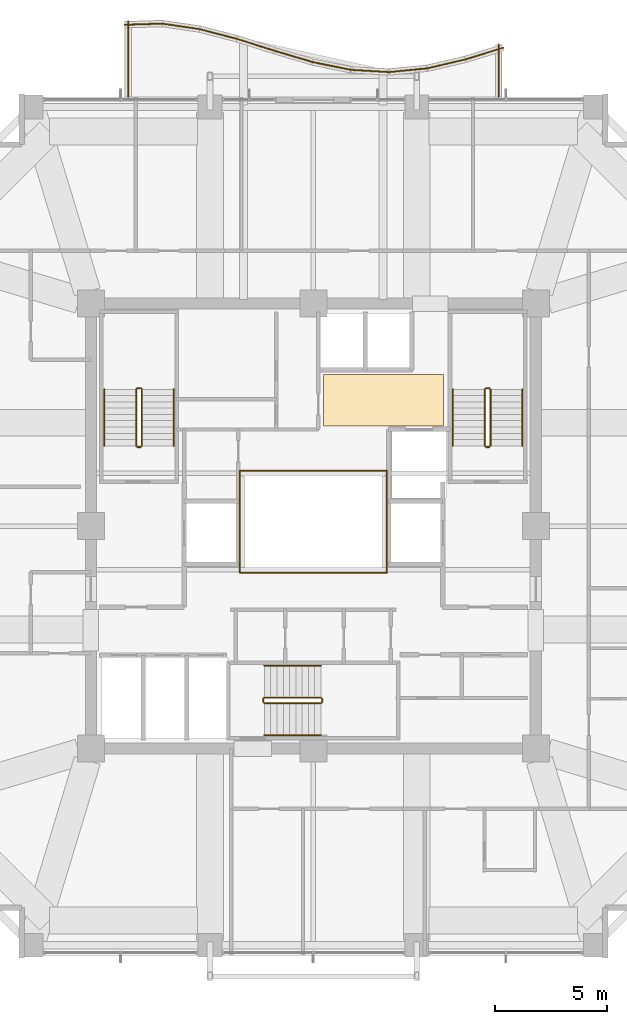
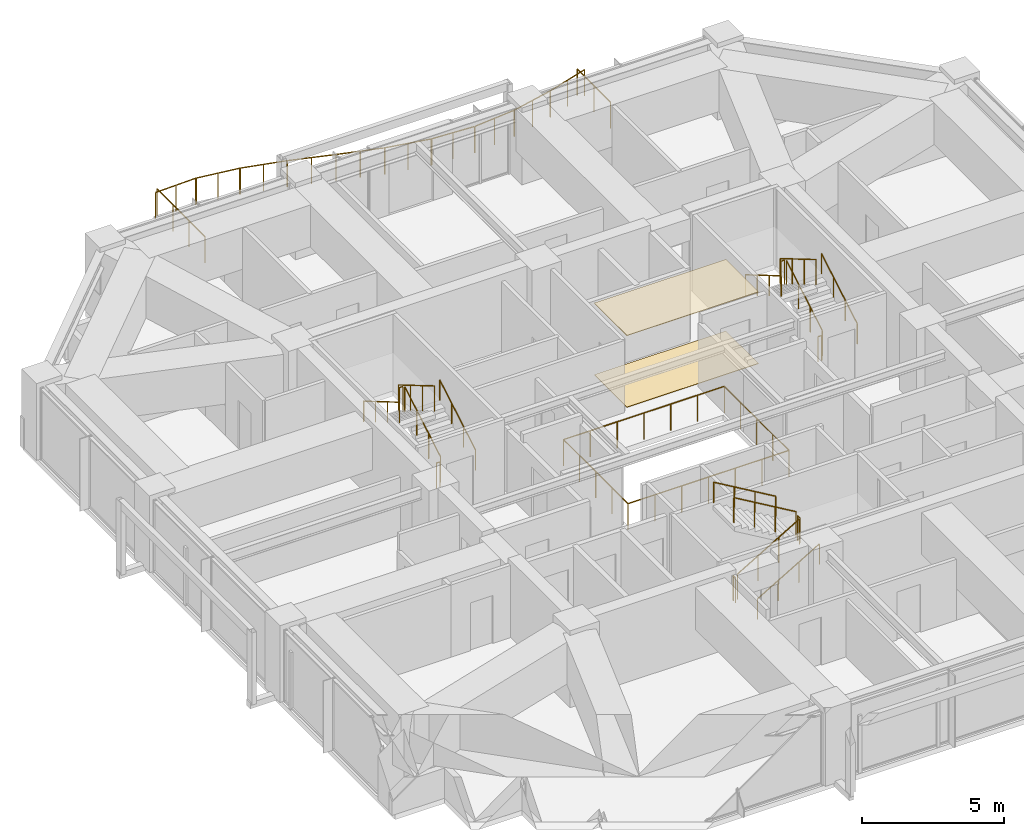
# One storey, part 28 of 28: 34 railings, 2 coverings.
"""IFC4 building model written with IfcOpenShell, lengths in metres."""

from ifc_helpers import new_model, si_unit, direction, frame, origin, origin_2d, place, context, subcontext, project, spatial, polyline, circle, outline, extrude, material, layer, layer_set, type_object, element, save


model = new_model("IFC4")

# Units and contexts
model_context = context("Model", 3, precision=1e-05, world=origin(), true_north=direction((0.0, 1.0)))
body_context = subcontext(model_context, "Body", "Model", "MODEL_VIEW")
ifc_project = project(units=[si_unit("LENGTHUNIT", "METRE"), si_unit("AREAUNIT", "SQUARE_METRE"), si_unit("VOLUMEUNIT", "CUBIC_METRE"), si_unit("PLANEANGLEUNIT", "RADIAN"), si_unit("MASSUNIT", "GRAM", prefix="KILO")], contexts=[model_context])

# Site, building, storey
site_placement = place(None, origin())
site = spatial("IfcSite", under=ifc_project, at=site_placement, CompositionType="ELEMENT")
building_placement = place(site_placement, origin())
building = spatial("IfcBuilding", under=site, at=building_placement, Name="Kolvaren Belvedere", CompositionType="ELEMENT")
storey_placement = place(building_placement, frame((0.0, 0.0, 125.0)))
storey = spatial("IfcBuildingStorey", under=building, at=storey_placement, Name="L36", CompositionType="ELEMENT", Elevation=125.0)

# Coverings
ifc_material_1 = material(Name="Acoustic perforated gypsum board", Category="gypsum")
ifc_layer_1 = layer(ifc_material_1, 0.02490234375)
ifc_layer_set_1 = layer_set([ifc_layer_1], Name="Acoustic perforated gypsum board")
covering_type_1 = type_object("IfcCoveringType", Name="COV-CEIL-GYP", PredefinedType="CEILING", material=ifc_layer_set_1)
covering_1_placement = place(storey_placement, frame((0.0, 0.0, 3.074951171875)))
element("IfcCovering", 1, at=covering_1_placement, inside=storey, type_object=covering_type_1, Name="L36 Lift Lobby Acoustic Baffle Ceiling", PredefinedType="CEILING", context=body_context, shape_type="SweptSolid", body=[
    extrude(outline(polyline([(0.449951171875, 4.449951171875), (5.800048828125, 4.449951171875), (5.800048828125, 6.75), (0.449951171875, 6.75), (0.449951171875, 4.449951171875)])), origin(), (0.0, 0.0, 1.0), 0.025146484375),
])
ifc_material_2 = material(Name="Engineered Pacific white oak", Category="timber")
ifc_layer_2 = layer(ifc_material_2, 0.02001953125)
ifc_layer_set_2 = layer_set([ifc_layer_2], Name="Engineered Pacific white oak")
covering_type_2 = type_object("IfcCoveringType", Name="COV-FLR-OAK", PredefinedType="FLOORING", material=ifc_layer_set_2)
covering_2_placement = place(storey_placement, origin())
element("IfcCovering", 2, at=covering_2_placement, inside=storey, type_object=covering_type_2, Name="L36 Lift Lobby Finish Flooring", PredefinedType="FLOORING", context=body_context, shape_type="SweptSolid", body=[
    extrude(outline(polyline([(0.449951171875, 4.449951171875), (5.800048828125, 4.449951171875), (5.800048828125, 6.75), (0.449951171875, 6.75), (0.449951171875, 4.449951171875)])), origin(), (0.0, 0.0, 1.0), 0.02001953125),
])

# Railings
ifc_material_3 = material(Name="Laminated glass & stainless-steel cap rail", Category="steel")
railing_type_1 = type_object("IfcRailingType", Name="RL-ATR-1150", PredefinedType="BALUSTRADE", material=ifc_material_3)
for number, where, name in (
    (3, (-3.27001953125, 2.469970703125, 0.0), "L36 Atrium North Glass Balustrade"),
    (4, (-3.27001953125, -2.070068359375, 0.0), "L36 Atrium South Glass Balustrade"),
):
    element("IfcRailing", number, at=place(storey_placement, frame(where)), inside=storey, type_object=railing_type_1, Name=name, PredefinedType="BALUSTRADE", context=body_context, shape_type="SweptSolid", body=[
        extrude(circle(Radius=0.02392578125, at=origin_2d()), frame((0.0, 0.0, 1.1259765625), z_axis=(1.0, 0.0, 0.0), x_axis=(0.0, 1.0, 0.0)), (0.0, 0.0, 1.0), 6.5400390625),
        extrude(circle(Radius=0.02099609375, at=origin_2d()), origin(), (0.0, 0.0, 1.0), 1.101806640625),
        extrude(circle(Radius=0.02099609375, at=origin_2d()), frame((1.090087890625, 0.0, 0.0)), (0.0, 0.0, 1.0), 1.101806640625),
        extrude(circle(Radius=0.02099609375, at=origin_2d()), frame((2.179931640625, 0.0, 0.0)), (0.0, 0.0, 1.0), 1.101806640625),
        extrude(circle(Radius=0.02099609375, at=origin_2d()), frame((3.27001953125, 0.0, 0.0)), (0.0, 0.0, 1.0), 1.101806640625),
        extrude(circle(Radius=0.02099609375, at=origin_2d()), frame((4.360107421875, 0.0, 0.0)), (0.0, 0.0, 1.0), 1.101806640625),
        extrude(circle(Radius=0.02099609375, at=origin_2d()), frame((5.449951171875, 0.0, 0.0)), (0.0, 0.0, 1.0), 1.101806640625),
        extrude(circle(Radius=0.02099609375, at=origin_2d()), frame((6.5400390625, 0.0, 0.0)), (0.0, 0.0, 1.0), 1.101806640625),
    ])
for number, where, name in (
    (5, (-3.27001953125, -2.070068359375, 0.0), "L36 Atrium West Glass Balustrade"),
    (6, (3.27001953125, -2.070068359375, 0.0), "L36 Atrium East Glass Balustrade"),
):
    element("IfcRailing", number, at=place(storey_placement, frame(where)), inside=storey, type_object=railing_type_1, Name=name, PredefinedType="BALUSTRADE", context=body_context, shape_type="SweptSolid", body=[
        extrude(circle(Radius=0.02392578125, at=origin_2d()), frame((0.0, 0.0, 1.1259765625), z_axis=(0.0, 1.0, 0.0), x_axis=(-1.0, 0.0, 0.0)), (0.0, 0.0, 1.0), 4.5400390625),
        extrude(circle(Radius=0.02099609375, at=origin_2d()), origin(), (0.0, 0.0, 1.0), 1.101806640625),
        extrude(circle(Radius=0.02099609375, at=origin_2d()), frame((0.0, 1.135009765625, 0.0)), (0.0, 0.0, 1.0), 1.101806640625),
        extrude(circle(Radius=0.02099609375, at=origin_2d()), frame((0.0, 2.27001953125, 0.0)), (0.0, 0.0, 1.0), 1.101806640625),
        extrude(circle(Radius=0.02099609375, at=origin_2d()), frame((0.0, 3.405029296875, 0.0)), (0.0, 0.0, 1.0), 1.101806640625),
        extrude(circle(Radius=0.02099609375, at=origin_2d()), frame((0.0, 4.5400390625, 0.0)), (0.0, 0.0, 1.0), 1.101806640625),
    ])
ifc_material_4 = material(Name="Anodised pale-metal aluminium & laminated glass guard", Category="aluminium")
railing_type_2 = type_object("IfcRailingType", Name="RL-GUARD-1150", PredefinedType="GUARDRAIL", material=ifc_material_4)
railing_1_placement = place(storey_placement, frame((8.239990234375, 19.10009765625, 0.3798828125)))
element("IfcRailing", 7, at=railing_1_placement, inside=storey, type_object=railing_type_2, Name="L36 Exterior Deck Safety Guard BAL-N-11", PredefinedType="GUARDRAIL", context=body_context, shape_type="SweptSolid", body=[
    extrude(circle(Radius=0.02392578125, at=origin_2d()), frame((0.0, 0.0, 1.1259765625), z_axis=(0.0, 1.0, 0.0), x_axis=(-1.0, 0.0, 0.0)), (0.0, 0.0, 1.0), 2.33984375),
    extrude(circle(Radius=0.02099609375, at=origin_2d()), origin(), (0.0, 0.0, 1.0), 1.101806640625),
    extrude(circle(Radius=0.02099609375, at=origin_2d()), frame((0.0, 1.169921875, 0.0)), (0.0, 0.0, 1.0), 1.101806640625),
    extrude(circle(Radius=0.02099609375, at=origin_2d()), frame((0.0, 2.33984375, 0.0)), (0.0, 0.0, 1.0), 1.101806640625),
])
railing_2_placement = place(storey_placement, frame((8.447265625, 21.287109375, 0.3798828125)))
element("IfcRailing", 8, at=railing_2_placement, inside=storey, type_object=railing_type_2, Name="L36 Exterior Deck Safety Guard BAL-N-12", PredefinedType="GUARDRAIL", context=body_context, shape_type="SweptSolid", body=[
    extrude(circle(Radius=0.02392578125, at=origin_2d()), frame((0.0, 0.0, 1.1259765625), z_axis=(-0.95524013163, -0.295831524561, 0.0), x_axis=(0.295831524561, -0.95524013163, 0.0)), (0.0, 0.0, 1.0), 1.758544921875),
    extrude(circle(Radius=0.02099609375, at=origin_2d()), origin(), (0.0, 0.0, 1.0), 1.101806640625),
    extrude(circle(Radius=0.02099609375, at=origin_2d()), frame((-0.83984375, -0.26025390625, 0.0)), (0.0, 0.0, 1.0), 1.101806640625),
    extrude(circle(Radius=0.02099609375, at=origin_2d()), frame((-1.679931640625, -0.520263671875, 0.0)), (0.0, 0.0, 1.0), 1.101806640625),
])
railing_3_placement = place(storey_placement, frame((6.75634765625, 20.763916015625, 0.3798828125)))
element("IfcRailing", 9, at=railing_3_placement, inside=storey, type_object=railing_type_2, Name="L36 Exterior Deck Safety Guard BAL-N-13", PredefinedType="GUARDRAIL", context=body_context, shape_type="SweptSolid", body=[
    extrude(circle(Radius=0.02392578125, at=origin_2d()), frame((0.0, 0.0, 1.1259765625), z_axis=(-0.973890253884, -0.227019323824, 0.0), x_axis=(0.227019323824, -0.973890253884, 0.0)), (0.0, 0.0, 1.0), 1.724853515625),
    extrude(circle(Radius=0.02099609375, at=origin_2d()), origin(), (0.0, 0.0, 1.0), 1.101806640625),
    extrude(circle(Radius=0.02099609375, at=origin_2d()), frame((-0.83984375, -0.19580078125, 0.0)), (0.0, 0.0, 1.0), 1.101806640625),
    extrude(circle(Radius=0.02099609375, at=origin_2d()), frame((-1.679931640625, -0.3916015625, 0.0)), (0.0, 0.0, 1.0), 1.101806640625),
])
railing_4_placement = place(storey_placement, frame((5.0556640625, 20.368896484375, 0.3798828125)))
element("IfcRailing", 10, at=railing_4_placement, inside=storey, type_object=railing_type_2, Name="L36 Exterior Deck Safety Guard BAL-N-14", PredefinedType="GUARDRAIL", context=body_context, shape_type="SweptSolid", body=[
    extrude(circle(Radius=0.02392578125, at=origin_2d()), frame((0.0, 0.0, 1.1259765625), z_axis=(-0.995152499202, -0.098343801694, 0.0), x_axis=(0.098343801694, -0.995152499202, 0.0)), (0.0, 0.0, 1.0), 1.688232421875),
    extrude(circle(Radius=0.02099609375, at=origin_2d()), origin(), (0.0, 0.0, 1.0), 1.101806640625),
    extrude(circle(Radius=0.02099609375, at=origin_2d()), frame((-0.83984375, -0.0830078125, 0.0)), (0.0, 0.0, 1.0), 1.101806640625),
    extrude(circle(Radius=0.02099609375, at=origin_2d()), frame((-1.679931640625, -0.166015625, 0.0)), (0.0, 0.0, 1.0), 1.101806640625),
])
railing_5_placement = place(storey_placement, frame((3.350341796875, 20.202392578125, 0.3798828125)))
element("IfcRailing", 11, at=railing_5_placement, inside=storey, type_object=railing_type_2, Name="L36 Exterior Deck Safety Guard BAL-N-15", PredefinedType="GUARDRAIL", context=body_context, shape_type="SweptSolid", body=[
    extrude(circle(Radius=0.02392578125, at=origin_2d()), frame((0.0, 0.0, 1.1259765625), z_axis=(-0.998212296378, 0.059767979379, 0.0), x_axis=(-0.059767979379, -0.998212296378, 0.0)), (0.0, 0.0, 1.0), 1.682861328125),
    extrude(circle(Radius=0.02099609375, at=origin_2d()), origin(), (0.0, 0.0, 1.0), 1.101806640625),
    extrude(circle(Radius=0.02099609375, at=origin_2d()), frame((-0.83984375, 0.05029296875, 0.0)), (0.0, 0.0, 1.0), 1.101806640625),
    extrude(circle(Radius=0.02099609375, at=origin_2d()), frame((-1.679931640625, 0.1005859375, 0.0)), (0.0, 0.0, 1.0), 1.101806640625),
])
railing_6_placement = place(storey_placement, frame((1.64794921875, 20.305908203125, 0.3798828125)))
element("IfcRailing", 12, at=railing_6_placement, inside=storey, type_object=railing_type_2, Name="L36 Exterior Deck Safety Guard BAL-N-16", PredefinedType="GUARDRAIL", context=body_context, shape_type="SweptSolid", body=[
    extrude(circle(Radius=0.02392578125, at=origin_2d()), frame((0.0, 0.0, 1.1259765625), z_axis=(-0.979839912937, 0.199784246163, 0.0), x_axis=(-0.199784246163, -0.979839912937, 0.0)), (0.0, 0.0, 1.0), 1.714599609375),
    extrude(circle(Radius=0.02099609375, at=origin_2d()), origin(), (0.0, 0.0, 1.0), 1.101806640625),
    extrude(circle(Radius=0.02099609375, at=origin_2d()), frame((-0.83984375, 0.17138671875, 0.0)), (0.0, 0.0, 1.0), 1.101806640625),
    extrude(circle(Radius=0.02099609375, at=origin_2d()), frame((-1.679931640625, 0.342529296875, 0.0)), (0.0, 0.0, 1.0), 1.101806640625),
])
railing_7_placement = place(storey_placement, frame((-0.045654296875, 20.65185546875, 0.3798828125)))
element("IfcRailing", 13, at=railing_7_placement, inside=storey, type_object=railing_type_2, Name="L36 Exterior Deck Safety Guard BAL-N-17", PredefinedType="GUARDRAIL", context=body_context, shape_type="SweptSolid", body=[
    extrude(circle(Radius=0.02392578125, at=origin_2d()), frame((0.0, 0.0, 1.1259765625), z_axis=(-0.95856309129, 0.284880325779, 0.0), x_axis=(-0.284880325779, -0.95856309129, 0.0)), (0.0, 0.0, 1.0), 1.75244140625),
    extrude(circle(Radius=0.02099609375, at=origin_2d()), origin(), (0.0, 0.0, 1.0), 1.101806640625),
    extrude(circle(Radius=0.02099609375, at=origin_2d()), frame((-0.83984375, 0.24951171875, 0.0)), (0.0, 0.0, 1.0), 1.101806640625),
    extrude(circle(Radius=0.02099609375, at=origin_2d()), frame((-1.679931640625, 0.499267578125, 0.0)), (0.0, 0.0, 1.0), 1.101806640625),
])
railing_8_placement = place(storey_placement, frame((-1.728515625, 21.152099609375, 0.3798828125)))
element("IfcRailing", 14, at=railing_8_placement, inside=storey, type_object=railing_type_2, Name="L36 Exterior Deck Safety Guard BAL-N-18", PredefinedType="GUARDRAIL", context=body_context, shape_type="SweptSolid", body=[
    extrude(circle(Radius=0.02392578125, at=origin_2d()), frame((0.0, 0.0, 1.1259765625), z_axis=(-0.953181954832, 0.302397356111, 0.0), x_axis=(-0.302397356111, -0.953181954832, 0.0)), (0.0, 0.0, 1.0), 1.762451171875),
    extrude(circle(Radius=0.02099609375, at=origin_2d()), origin(), (0.0, 0.0, 1.0), 1.101806640625),
    extrude(circle(Radius=0.02099609375, at=origin_2d()), frame((-0.83984375, 0.2666015625, 0.0)), (0.0, 0.0, 1.0), 1.101806640625),
    extrude(circle(Radius=0.02099609375, at=origin_2d()), frame((-1.679931640625, 0.532958984375, 0.0)), (0.0, 0.0, 1.0), 1.101806640625),
])
railing_9_placement = place(storey_placement, frame((-3.400146484375, 21.6826171875, 0.3798828125)))
element("IfcRailing", 15, at=railing_9_placement, inside=storey, type_object=railing_type_2, Name="L36 Exterior Deck Safety Guard BAL-N-19", PredefinedType="GUARDRAIL", context=body_context, shape_type="SweptSolid", body=[
    extrude(circle(Radius=0.02392578125, at=origin_2d()), frame((0.0, 0.0, 1.1259765625), z_axis=(-0.968132209145, 0.250439664624, 0.0), x_axis=(-0.250439664624, -0.968132209145, 0.0)), (0.0, 0.0, 1.0), 1.7353515625),
    extrude(circle(Radius=0.02099609375, at=origin_2d()), origin(), (0.0, 0.0, 1.0), 1.101806640625),
    extrude(circle(Radius=0.02099609375, at=origin_2d()), frame((-0.83984375, 0.21728515625, 0.0)), (0.0, 0.0, 1.0), 1.101806640625),
    extrude(circle(Radius=0.02099609375, at=origin_2d()), frame((-1.679931640625, 0.4345703125, 0.0)), (0.0, 0.0, 1.0), 1.101806640625),
])
railing_10_placement = place(storey_placement, frame((-5.063232421875, 22.114013671875, 0.3798828125)))
element("IfcRailing", 16, at=railing_10_placement, inside=storey, type_object=railing_type_2, Name="L36 Exterior Deck Safety Guard BAL-N-20", PredefinedType="GUARDRAIL", context=body_context, shape_type="SweptSolid", body=[
    extrude(circle(Radius=0.02392578125, at=origin_2d()), frame((0.0, 0.0, 1.1259765625), z_axis=(-0.98929818871, 0.145907826437, 0.0), x_axis=(-0.145907826437, -0.98929818871, 0.0)), (0.0, 0.0, 1.0), 1.6982421875),
    extrude(circle(Radius=0.02099609375, at=origin_2d()), origin(), (0.0, 0.0, 1.0), 1.101806640625),
    extrude(circle(Radius=0.02099609375, at=origin_2d()), frame((-0.840087890625, 0.1240234375, 0.0)), (0.0, 0.0, 1.0), 1.101806640625),
    extrude(circle(Radius=0.02099609375, at=origin_2d()), frame((-1.68017578125, 0.247802734375, 0.0)), (0.0, 0.0, 1.0), 1.101806640625),
])
railing_11_placement = place(storey_placement, frame((-6.715087890625, 22.360107421875, 0.3798828125)))
element("IfcRailing", 17, at=railing_11_placement, inside=storey, type_object=railing_type_2, Name="L36 Exterior Deck Safety Guard BAL-N-21", PredefinedType="GUARDRAIL", context=body_context, shape_type="SweptSolid", body=[
    extrude(circle(Radius=0.02392578125, at=origin_2d()), frame((0.0, 0.0, 1.1259765625), z_axis=(-0.999503107358, -0.031520443874, 0.0), x_axis=(0.031520443874, -0.999503107358, 0.0)), (0.0, 0.0, 1.0), 1.6806640625),
    extrude(circle(Radius=0.02099609375, at=origin_2d()), origin(), (0.0, 0.0, 1.0), 1.101806640625),
    extrude(circle(Radius=0.02099609375, at=origin_2d()), frame((-0.83984375, -0.0263671875, 0.0)), (0.0, 0.0, 1.0), 1.101806640625),
    extrude(circle(Radius=0.02099609375, at=origin_2d()), frame((-1.679931640625, -0.052978515625, 0.0)), (0.0, 0.0, 1.0), 1.101806640625),
])
railing_12_placement = place(storey_placement, frame((-8.239990234375, 22.467041015625, 0.3798828125)))
element("IfcRailing", 18, at=railing_12_placement, inside=storey, type_object=railing_type_2, Name="L36 Exterior Deck Safety Guard BAL-N-22", PredefinedType="GUARDRAIL", context=body_context, shape_type="SweptSolid", body=[
    extrude(circle(Radius=0.02392578125, at=origin_2d()), frame((0.0, 0.0, 1.1259765625), z_axis=(0.0, -1.0, 0.0), x_axis=(1.0, 0.0, 0.0)), (0.0, 0.0, 1.0), 3.366943359375),
    extrude(circle(Radius=0.02099609375, at=origin_2d()), origin(), (0.0, 0.0, 1.0), 1.101806640625),
    extrude(circle(Radius=0.02099609375, at=origin_2d()), frame((0.0, -1.122314453125, 0.0)), (0.0, 0.0, 1.0), 1.101806640625),
    extrude(circle(Radius=0.02099609375, at=origin_2d()), frame((0.0, -2.24462890625, 0.0)), (0.0, 0.0, 1.0), 1.101806640625),
    extrude(circle(Radius=0.02099609375, at=origin_2d()), frame((0.0, -3.366943359375, 0.0)), (0.0, 0.0, 1.0), 1.101806640625),
])
ifc_material_5 = material(Name="Brushed stainless-steel handrail", Category="steel")
railing_type_3 = type_object("IfcRailingType", Name="RL-HANDRAIL-920", PredefinedType="HANDRAIL", material=ifc_material_5)
railing_13_placement = place(storey_placement, frame((-6.2099609375, 3.570068359375, 0.1650390625)))
element("IfcRailing", 19, at=railing_13_placement, inside=storey, type_object=railing_type_3, Name="L36 ST-1 stair handrail 1", PredefinedType="HANDRAIL", context=body_context, shape_type="SweptSolid", body=[
    extrude(circle(Radius=0.02392578125, at=origin_2d()), frame((0.0, 0.0, 0.8759765625), z_axis=(0.0, 0.861560626758, 0.507654692109), x_axis=(-1.0, 0.0, 0.0)), (0.0, 0.0, 1.0), 2.925048828125),
    extrude(circle(Radius=0.02099609375, at=origin_2d()), origin(), (0.0, 0.0, 1.0), 0.851806640625),
    extrude(circle(Radius=0.02099609375, at=origin_2d()), frame((0.0, 0.840087890625, 0.494873046875)), (0.0, 0.0, 1.0), 0.851806640625),
    extrude(circle(Radius=0.02099609375, at=origin_2d()), frame((0.0, 1.679931640625, 0.989990234375)), (0.0, 0.0, 1.0), 0.851806640625),
    extrude(circle(Radius=0.02099609375, at=origin_2d()), frame((0.0, 2.52001953125, 1.48486328125)), (0.0, 0.0, 1.0), 0.851806640625),
])
railing_14_placement = place(storey_placement, frame((-9.300048828125, 6.090087890625, 1.81494140625)))
element("IfcRailing", 20, at=railing_14_placement, inside=storey, type_object=railing_type_3, Name="L36 ST-1 stair handrail 2", PredefinedType="HANDRAIL", context=body_context, shape_type="SweptSolid", body=[
    extrude(circle(Radius=0.02392578125, at=origin_2d()), frame((0.0, 0.0, 0.8759765625), z_axis=(0.0, -0.86152411907, 0.507716645641), x_axis=(1.0, 0.0, 0.0)), (0.0, 0.0, 1.0), 2.925048828125),
    extrude(circle(Radius=0.02099609375, at=origin_2d()), origin(), (0.0, 0.0, 1.0), 0.851806640625),
    extrude(circle(Radius=0.02099609375, at=origin_2d()), frame((0.0, -0.840087890625, 0.4951171875)), (0.0, 0.0, 1.0), 0.851806640625),
    extrude(circle(Radius=0.02099609375, at=origin_2d()), frame((0.0, -1.679931640625, 0.989990234375)), (0.0, 0.0, 1.0), 0.851806640625),
    extrude(circle(Radius=0.02099609375, at=origin_2d()), frame((0.0, -2.52001953125, 1.485107421875)), (0.0, 0.0, 1.0), 0.851806640625),
])
railing_15_placement = place(storey_placement, frame((9.300048828125, 3.570068359375, 0.1650390625)))
element("IfcRailing", 21, at=railing_15_placement, inside=storey, type_object=railing_type_3, Name="L36 ST-2 stair handrail 1", PredefinedType="HANDRAIL", context=body_context, shape_type="SweptSolid", body=[
    extrude(circle(Radius=0.02392578125, at=origin_2d()), frame((0.0, 0.0, 0.8759765625), z_axis=(0.0, 0.861560626758, 0.507654692109), x_axis=(-1.0, 0.0, 0.0)), (0.0, 0.0, 1.0), 2.925048828125),
    extrude(circle(Radius=0.02099609375, at=origin_2d()), origin(), (0.0, 0.0, 1.0), 0.851806640625),
    extrude(circle(Radius=0.02099609375, at=origin_2d()), frame((0.0, 0.840087890625, 0.494873046875)), (0.0, 0.0, 1.0), 0.851806640625),
    extrude(circle(Radius=0.02099609375, at=origin_2d()), frame((0.0, 1.679931640625, 0.989990234375)), (0.0, 0.0, 1.0), 0.851806640625),
    extrude(circle(Radius=0.02099609375, at=origin_2d()), frame((0.0, 2.52001953125, 1.48486328125)), (0.0, 0.0, 1.0), 0.851806640625),
])
railing_16_placement = place(storey_placement, frame((6.2099609375, 6.090087890625, 1.81494140625)))
element("IfcRailing", 22, at=railing_16_placement, inside=storey, type_object=railing_type_3, Name="L36 ST-2 stair handrail 2", PredefinedType="HANDRAIL", context=body_context, shape_type="SweptSolid", body=[
    extrude(circle(Radius=0.02392578125, at=origin_2d()), frame((0.0, 0.0, 0.8759765625), z_axis=(0.0, -0.86152411907, 0.507716645641), x_axis=(1.0, 0.0, 0.0)), (0.0, 0.0, 1.0), 2.925048828125),
    extrude(circle(Radius=0.02099609375, at=origin_2d()), origin(), (0.0, 0.0, 1.0), 0.851806640625),
    extrude(circle(Radius=0.02099609375, at=origin_2d()), frame((0.0, -0.840087890625, 0.4951171875)), (0.0, 0.0, 1.0), 0.851806640625),
    extrude(circle(Radius=0.02099609375, at=origin_2d()), frame((0.0, -1.679931640625, 0.989990234375)), (0.0, 0.0, 1.0), 0.851806640625),
    extrude(circle(Radius=0.02099609375, at=origin_2d()), frame((0.0, -2.52001953125, 1.485107421875)), (0.0, 0.0, 1.0), 0.851806640625),
])
railing_17_placement = place(storey_placement, frame((-2.179931640625, -9.300048828125, 0.1650390625)))
element("IfcRailing", 23, at=railing_17_placement, inside=storey, type_object=railing_type_3, Name="L36 ST-3 stair handrail 1", PredefinedType="HANDRAIL", context=body_context, shape_type="SweptSolid", body=[
    extrude(circle(Radius=0.02392578125, at=origin_2d()), frame((0.0, 0.0, 0.8759765625), z_axis=(0.861560626758, 0.0, 0.507654692109), x_axis=(0.0, 1.0, 0.0)), (0.0, 0.0, 1.0), 2.925048828125),
    extrude(circle(Radius=0.02099609375, at=origin_2d()), origin(), (0.0, 0.0, 1.0), 0.851806640625),
    extrude(circle(Radius=0.02099609375, at=origin_2d()), frame((0.840087890625, 0.0, 0.494873046875)), (0.0, 0.0, 1.0), 0.851806640625),
    extrude(circle(Radius=0.02099609375, at=origin_2d()), frame((1.679931640625, 0.0, 0.989990234375)), (0.0, 0.0, 1.0), 0.851806640625),
    extrude(circle(Radius=0.02099609375, at=origin_2d()), frame((2.52001953125, 0.0, 1.48486328125)), (0.0, 0.0, 1.0), 0.851806640625),
])
railing_18_placement = place(storey_placement, frame((0.340087890625, -6.2099609375, 1.81494140625)))
element("IfcRailing", 24, at=railing_18_placement, inside=storey, type_object=railing_type_3, Name="L36 ST-3 stair handrail 2", PredefinedType="HANDRAIL", context=body_context, shape_type="SweptSolid", body=[
    extrude(circle(Radius=0.02392578125, at=origin_2d()), frame((0.0, 0.0, 0.8759765625), z_axis=(-0.86152411907, 0.0, 0.507716645641), x_axis=(0.0, -1.0, 0.0)), (0.0, 0.0, 1.0), 2.925048828125),
    extrude(circle(Radius=0.02099609375, at=origin_2d()), origin(), (0.0, 0.0, 1.0), 0.851806640625),
    extrude(circle(Radius=0.02099609375, at=origin_2d()), frame((-0.840087890625, 0.0, 0.4951171875)), (0.0, 0.0, 1.0), 0.851806640625),
    extrude(circle(Radius=0.02099609375, at=origin_2d()), frame((-1.679931640625, 0.0, 0.989990234375)), (0.0, 0.0, 1.0), 0.851806640625),
    extrude(circle(Radius=0.02099609375, at=origin_2d()), frame((-2.52001953125, 0.0, 1.485107421875)), (0.0, 0.0, 1.0), 0.851806640625),
])
ifc_material_6 = material(Name="Painted tubular steel stair guard", Category="steel")
railing_type_4 = type_object("IfcRailingType", Name="RL-STGUARD-1100", PredefinedType="GUARDRAIL", material=ifc_material_6)
railing_19_placement = place(storey_placement, frame((-7.6298828125, 3.570068359375, 0.1650390625)))
element("IfcRailing", 25, at=railing_19_placement, inside=storey, type_object=railing_type_4, Name="L36 ST-1 stair guard 1", PredefinedType="GUARDRAIL", context=body_context, shape_type="SweptSolid", body=[
    extrude(circle(Radius=0.02392578125, at=origin_2d()), frame((0.0, 0.0, 1.076171875), z_axis=(0.0, 0.861560626758, 0.507654692109), x_axis=(-1.0, 0.0, 0.0)), (0.0, 0.0, 1.0), 2.925048828125),
    extrude(circle(Radius=0.02099609375, at=origin_2d()), origin(), (0.0, 0.0, 1.0), 1.052001953125),
    extrude(circle(Radius=0.02099609375, at=origin_2d()), frame((0.0, 0.840087890625, 0.494873046875)), (0.0, 0.0, 1.0), 1.052001953125),
    extrude(circle(Radius=0.02099609375, at=origin_2d()), frame((0.0, 1.679931640625, 0.989990234375)), (0.0, 0.0, 1.0), 1.052001953125),
    extrude(circle(Radius=0.02099609375, at=origin_2d()), frame((0.0, 2.52001953125, 1.48486328125)), (0.0, 0.0, 1.0), 1.052001953125),
])
railing_20_placement = place(storey_placement, frame((-7.679931640625, 6.139892578125, 1.64990234375)))
element("IfcRailing", 26, at=railing_20_placement, inside=storey, type_object=railing_type_4, Name="L36 ST-1 stair guard 2", PredefinedType="GUARDRAIL", context=body_context, shape_type="SweptSolid", body=[
    extrude(circle(Radius=0.02392578125, at=origin_2d()), frame((0.0, 0.0, 1.076171875), z_axis=(-1.0, 0.0, 0.0), x_axis=(0.0, -1.0, 0.0)), (0.0, 0.0, 1.0), 0.150146484375),
    extrude(circle(Radius=0.02099609375, at=origin_2d()), origin(), (0.0, 0.0, 1.0), 1.052001953125),
    extrude(circle(Radius=0.02099609375, at=origin_2d()), frame((-0.150146484375, 0.0, 0.0)), (0.0, 0.0, 1.0), 1.052001953125),
])
railing_21_placement = place(storey_placement, frame((-7.8798828125, 6.090087890625, 1.81494140625)))
element("IfcRailing", 27, at=railing_21_placement, inside=storey, type_object=railing_type_4, Name="L36 ST-1 stair guard 3", PredefinedType="GUARDRAIL", context=body_context, shape_type="SweptSolid", body=[
    extrude(circle(Radius=0.02392578125, at=origin_2d()), frame((0.0, 0.0, 1.076171875), z_axis=(0.0, -0.86152411907, 0.507716645641), x_axis=(1.0, 0.0, 0.0)), (0.0, 0.0, 1.0), 2.925048828125),
    extrude(circle(Radius=0.02099609375, at=origin_2d()), origin(), (0.0, 0.0, 1.0), 1.052001953125),
    extrude(circle(Radius=0.02099609375, at=origin_2d()), frame((0.0, -0.840087890625, 0.4951171875)), (0.0, 0.0, 1.0), 1.052001953125),
    extrude(circle(Radius=0.02099609375, at=origin_2d()), frame((0.0, -1.679931640625, 0.989990234375)), (0.0, 0.0, 1.0), 1.052001953125),
    extrude(circle(Radius=0.02099609375, at=origin_2d()), frame((0.0, -2.52001953125, 1.485107421875)), (0.0, 0.0, 1.0), 1.052001953125),
])
railing_22_placement = place(storey_placement, frame((-7.679931640625, 3.52001953125, 0.0)))
element("IfcRailing", 28, at=railing_22_placement, inside=storey, type_object=railing_type_4, Name="L36 ST-1 stair guard 4", PredefinedType="GUARDRAIL", context=body_context, shape_type="SweptSolid", body=[
    extrude(circle(Radius=0.02392578125, at=origin_2d()), frame((0.0, 0.0, 1.076171875), z_axis=(-1.0, 0.0, 0.0), x_axis=(0.0, -1.0, 0.0)), (0.0, 0.0, 1.0), 0.150146484375),
    extrude(circle(Radius=0.02099609375, at=origin_2d()), origin(), (0.0, 0.0, 1.0), 1.052001953125),
    extrude(circle(Radius=0.02099609375, at=origin_2d()), frame((-0.150146484375, 0.0, 0.0)), (0.0, 0.0, 1.0), 1.052001953125),
])
railing_23_placement = place(storey_placement, frame((7.8798828125, 3.570068359375, 0.1650390625)))
element("IfcRailing", 29, at=railing_23_placement, inside=storey, type_object=railing_type_4, Name="L36 ST-2 stair guard 1", PredefinedType="GUARDRAIL", context=body_context, shape_type="SweptSolid", body=[
    extrude(circle(Radius=0.02392578125, at=origin_2d()), frame((0.0, 0.0, 1.076171875), z_axis=(0.0, 0.861560626758, 0.507654692109), x_axis=(-1.0, 0.0, 0.0)), (0.0, 0.0, 1.0), 2.925048828125),
    extrude(circle(Radius=0.02099609375, at=origin_2d()), origin(), (0.0, 0.0, 1.0), 1.052001953125),
    extrude(circle(Radius=0.02099609375, at=origin_2d()), frame((0.0, 0.840087890625, 0.494873046875)), (0.0, 0.0, 1.0), 1.052001953125),
    extrude(circle(Radius=0.02099609375, at=origin_2d()), frame((0.0, 1.679931640625, 0.989990234375)), (0.0, 0.0, 1.0), 1.052001953125),
    extrude(circle(Radius=0.02099609375, at=origin_2d()), frame((0.0, 2.52001953125, 1.48486328125)), (0.0, 0.0, 1.0), 1.052001953125),
])
railing_24_placement = place(storey_placement, frame((7.830078125, 6.139892578125, 1.64990234375)))
element("IfcRailing", 30, at=railing_24_placement, inside=storey, type_object=railing_type_4, Name="L36 ST-2 stair guard 2", PredefinedType="GUARDRAIL", context=body_context, shape_type="SweptSolid", body=[
    extrude(circle(Radius=0.02392578125, at=origin_2d()), frame((0.0, 0.0, 1.076171875), z_axis=(-1.0, 0.0, 0.0), x_axis=(0.0, -1.0, 0.0)), (0.0, 0.0, 1.0), 0.150146484375),
    extrude(circle(Radius=0.02099609375, at=origin_2d()), origin(), (0.0, 0.0, 1.0), 1.052001953125),
    extrude(circle(Radius=0.02099609375, at=origin_2d()), frame((-0.150146484375, 0.0, 0.0)), (0.0, 0.0, 1.0), 1.052001953125),
])
railing_25_placement = place(storey_placement, frame((7.6298828125, 6.090087890625, 1.81494140625)))
element("IfcRailing", 31, at=railing_25_placement, inside=storey, type_object=railing_type_4, Name="L36 ST-2 stair guard 3", PredefinedType="GUARDRAIL", context=body_context, shape_type="SweptSolid", body=[
    extrude(circle(Radius=0.02392578125, at=origin_2d()), frame((0.0, 0.0, 1.076171875), z_axis=(0.0, -0.86152411907, 0.507716645641), x_axis=(1.0, 0.0, 0.0)), (0.0, 0.0, 1.0), 2.925048828125),
    extrude(circle(Radius=0.02099609375, at=origin_2d()), origin(), (0.0, 0.0, 1.0), 1.052001953125),
    extrude(circle(Radius=0.02099609375, at=origin_2d()), frame((0.0, -0.840087890625, 0.4951171875)), (0.0, 0.0, 1.0), 1.052001953125),
    extrude(circle(Radius=0.02099609375, at=origin_2d()), frame((0.0, -1.679931640625, 0.989990234375)), (0.0, 0.0, 1.0), 1.052001953125),
    extrude(circle(Radius=0.02099609375, at=origin_2d()), frame((0.0, -2.52001953125, 1.485107421875)), (0.0, 0.0, 1.0), 1.052001953125),
])
railing_26_placement = place(storey_placement, frame((7.830078125, 3.52001953125, 0.0)))
element("IfcRailing", 32, at=railing_26_placement, inside=storey, type_object=railing_type_4, Name="L36 ST-2 stair guard 4", PredefinedType="GUARDRAIL", context=body_context, shape_type="SweptSolid", body=[
    extrude(circle(Radius=0.02392578125, at=origin_2d()), frame((0.0, 0.0, 1.076171875), z_axis=(-1.0, 0.0, 0.0), x_axis=(0.0, -1.0, 0.0)), (0.0, 0.0, 1.0), 0.150146484375),
    extrude(circle(Radius=0.02099609375, at=origin_2d()), origin(), (0.0, 0.0, 1.0), 1.052001953125),
    extrude(circle(Radius=0.02099609375, at=origin_2d()), frame((-0.150146484375, 0.0, 0.0)), (0.0, 0.0, 1.0), 1.052001953125),
])
railing_27_placement = place(storey_placement, frame((-2.179931640625, -7.8798828125, 0.1650390625)))
element("IfcRailing", 33, at=railing_27_placement, inside=storey, type_object=railing_type_4, Name="L36 ST-3 stair guard 1", PredefinedType="GUARDRAIL", context=body_context, shape_type="SweptSolid", body=[
    extrude(circle(Radius=0.02392578125, at=origin_2d()), frame((0.0, 0.0, 1.076171875), z_axis=(0.861560626758, 0.0, 0.507654692109), x_axis=(0.0, 1.0, 0.0)), (0.0, 0.0, 1.0), 2.925048828125),
    extrude(circle(Radius=0.02099609375, at=origin_2d()), origin(), (0.0, 0.0, 1.0), 1.052001953125),
    extrude(circle(Radius=0.02099609375, at=origin_2d()), frame((0.840087890625, 0.0, 0.494873046875)), (0.0, 0.0, 1.0), 1.052001953125),
    extrude(circle(Radius=0.02099609375, at=origin_2d()), frame((1.679931640625, 0.0, 0.989990234375)), (0.0, 0.0, 1.0), 1.052001953125),
    extrude(circle(Radius=0.02099609375, at=origin_2d()), frame((2.52001953125, 0.0, 1.48486328125)), (0.0, 0.0, 1.0), 1.052001953125),
])
railing_28_placement = place(storey_placement, frame((0.389892578125, -7.830078125, 1.64990234375)))
element("IfcRailing", 34, at=railing_28_placement, inside=storey, type_object=railing_type_4, Name="L36 ST-3 stair guard 2", PredefinedType="GUARDRAIL", context=body_context, shape_type="SweptSolid", body=[
    extrude(circle(Radius=0.02392578125, at=origin_2d()), frame((0.0, 0.0, 1.076171875), z_axis=(0.0, 1.0, 0.0), x_axis=(-1.0, 0.0, 0.0)), (0.0, 0.0, 1.0), 0.150146484375),
    extrude(circle(Radius=0.02099609375, at=origin_2d()), origin(), (0.0, 0.0, 1.0), 1.052001953125),
    extrude(circle(Radius=0.02099609375, at=origin_2d()), frame((0.0, 0.150146484375, 0.0)), (0.0, 0.0, 1.0), 1.052001953125),
])
railing_29_placement = place(storey_placement, frame((0.340087890625, -7.6298828125, 1.81494140625)))
element("IfcRailing", 35, at=railing_29_placement, inside=storey, type_object=railing_type_4, Name="L36 ST-3 stair guard 3", PredefinedType="GUARDRAIL", context=body_context, shape_type="SweptSolid", body=[
    extrude(circle(Radius=0.02392578125, at=origin_2d()), frame((0.0, 0.0, 1.076171875), z_axis=(-0.86152411907, 0.0, 0.507716645641), x_axis=(0.0, -1.0, 0.0)), (0.0, 0.0, 1.0), 2.925048828125),
    extrude(circle(Radius=0.02099609375, at=origin_2d()), origin(), (0.0, 0.0, 1.0), 1.052001953125),
    extrude(circle(Radius=0.02099609375, at=origin_2d()), frame((-0.840087890625, 0.0, 0.4951171875)), (0.0, 0.0, 1.0), 1.052001953125),
    extrude(circle(Radius=0.02099609375, at=origin_2d()), frame((-1.679931640625, 0.0, 0.989990234375)), (0.0, 0.0, 1.0), 1.052001953125),
    extrude(circle(Radius=0.02099609375, at=origin_2d()), frame((-2.52001953125, 0.0, 1.485107421875)), (0.0, 0.0, 1.0), 1.052001953125),
])
railing_30_placement = place(storey_placement, frame((-2.22998046875, -7.830078125, 0.0)))
element("IfcRailing", 36, at=railing_30_placement, inside=storey, type_object=railing_type_4, Name="L36 ST-3 stair guard 4", PredefinedType="GUARDRAIL", context=body_context, shape_type="SweptSolid", body=[
    extrude(circle(Radius=0.02392578125, at=origin_2d()), frame((0.0, 0.0, 1.076171875), z_axis=(0.0, 1.0, 0.0), x_axis=(-1.0, 0.0, 0.0)), (0.0, 0.0, 1.0), 0.150146484375),
    extrude(circle(Radius=0.02099609375, at=origin_2d()), origin(), (0.0, 0.0, 1.0), 1.052001953125),
    extrude(circle(Radius=0.02099609375, at=origin_2d()), frame((0.0, 0.150146484375, 0.0)), (0.0, 0.0, 1.0), 1.052001953125),
])

save(model, "model.ifc")
